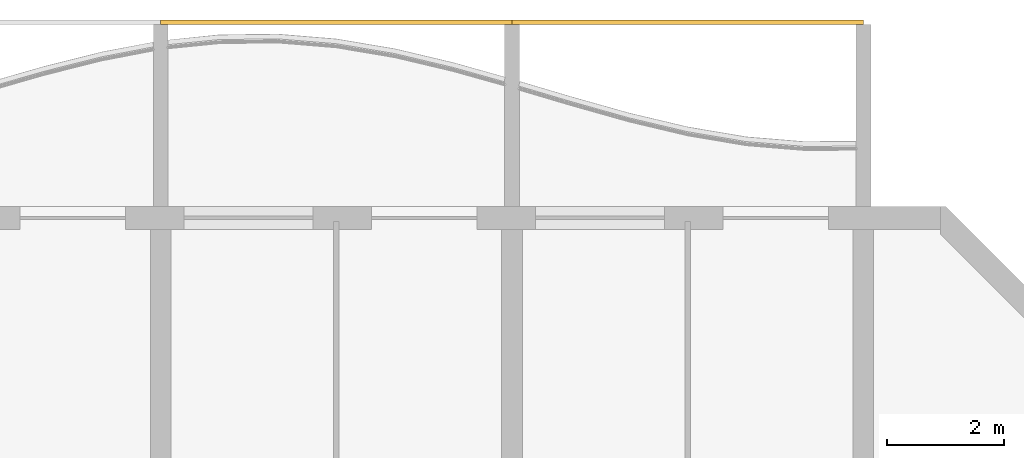
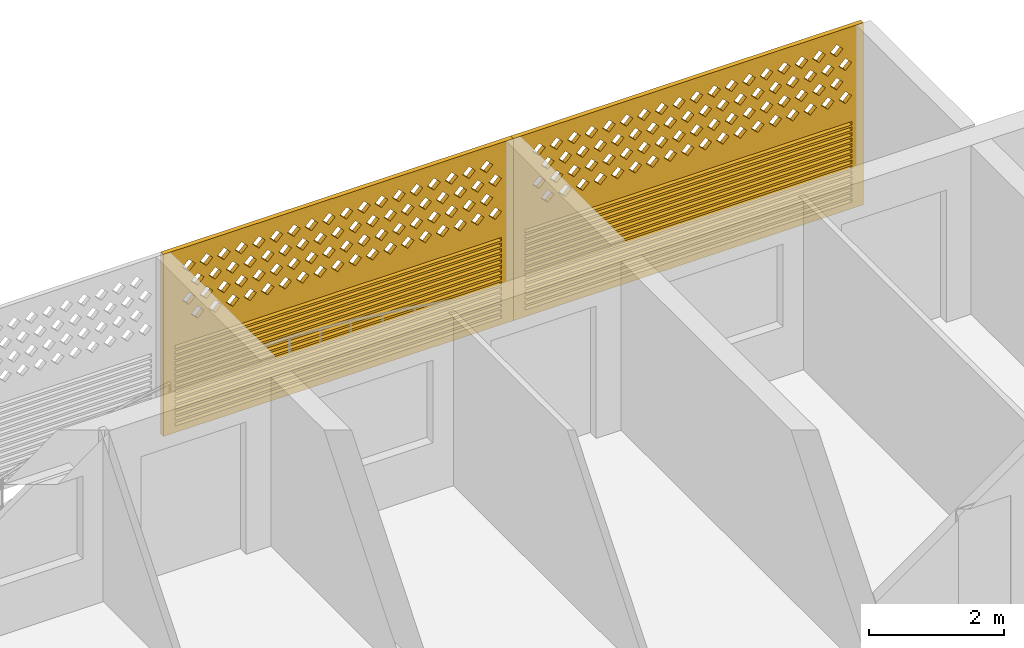
# One storey, part 27 of 27: 2 coverings.
"""IFC4 building model written with IfcOpenShell, lengths in metres."""

from ifc_helpers import new_model, si_unit, direction, frame, origin, place, context, subcontext, project, spatial, polyline, outline, extrude, source, transform, mapped, material, material_profile, profile_set, type_object, element, save


model = new_model("IFC4")

# Units and contexts
model_context = context("Model", 3, precision=1e-05, world=origin(), true_north=direction((0.0, 1.0)))
body_context = subcontext(model_context, "Body", "Model", "MODEL_VIEW")
ifc_project = project(units=[si_unit("LENGTHUNIT", "METRE"), si_unit("AREAUNIT", "SQUARE_METRE"), si_unit("VOLUMEUNIT", "CUBIC_METRE"), si_unit("PLANEANGLEUNIT", "RADIAN"), si_unit("MASSUNIT", "GRAM", prefix="KILO")], contexts=[model_context])

# Site, building, storey
site_placement = place(None, origin())
site = spatial("IfcSite", under=ifc_project, at=site_placement, CompositionType="ELEMENT")
building_placement = place(site_placement, origin())
building = spatial("IfcBuilding", under=site, at=building_placement, Name="Poui Terraces", CompositionType="ELEMENT")
storey_placement = place(building_placement, frame((0.0, 0.0, 92.699951171875)))
storey = spatial("IfcBuildingStorey", under=building, at=storey_placement, Name="L25", CompositionType="ELEMENT", Elevation=92.699951171875)

# Coverings
ifc_material = material(Name="Terracotta screen", Category="masonry")
ifc_material_profile = material_profile(ifc_material, outline(polyline([(-3.0, -1.64990234375), (3.0, -1.64990234375), (3.0, 1.64990234375), (-3.0, 1.64990234375), (-3.0, -1.64990234375)]), holes=[polyline([(-2.800048828125, 0.39990234375), (-2.68994140625, 0.2900390625), (-2.580078125, 0.39990234375), (-2.68994140625, 0.510009765625), (-2.800048828125, 0.39990234375)]), polyline([(-2.5, 0.39990234375), (-2.389892578125, 0.2900390625), (-2.280029296875, 0.39990234375), (-2.389892578125, 0.510009765625), (-2.5, 0.39990234375)]), polyline([(-2.199951171875, 0.39990234375), (-2.090087890625, 0.2900390625), (-1.97998046875, 0.39990234375), (-2.090087890625, 0.510009765625), (-2.199951171875, 0.39990234375)]), polyline([(-1.89990234375, 0.39990234375), (-1.7900390625, 0.2900390625), (-1.679931640625, 0.39990234375), (-1.7900390625, 0.510009765625), (-1.89990234375, 0.39990234375)]), polyline([(-1.60009765625, 0.39990234375), (-1.489990234375, 0.2900390625), (-1.3798828125, 0.39990234375), (-1.489990234375, 0.510009765625), (-1.60009765625, 0.39990234375)]), polyline([(-1.300048828125, 0.39990234375), (-1.18994140625, 0.2900390625), (-1.080078125, 0.39990234375), (-1.18994140625, 0.510009765625), (-1.300048828125, 0.39990234375)]), polyline([(-1.0, 0.39990234375), (-0.889892578125, 0.2900390625), (-0.780029296875, 0.39990234375), (-0.889892578125, 0.510009765625), (-1.0, 0.39990234375)]), polyline([(-0.699951171875, 0.39990234375), (-0.590087890625, 0.2900390625), (-0.47998046875, 0.39990234375), (-0.590087890625, 0.510009765625), (-0.699951171875, 0.39990234375)]), polyline([(-0.39990234375, 0.39990234375), (-0.2900390625, 0.2900390625), (-0.179931640625, 0.39990234375), (-0.2900390625, 0.510009765625), (-0.39990234375, 0.39990234375)]), polyline([(-0.10009765625, 0.39990234375), (0.010009765625, 0.2900390625), (0.1201171875, 0.39990234375), (0.010009765625, 0.510009765625), (-0.10009765625, 0.39990234375)]), polyline([(0.199951171875, 0.39990234375), (0.31005859375, 0.2900390625), (0.419921875, 0.39990234375), (0.31005859375, 0.510009765625), (0.199951171875, 0.39990234375)]), polyline([(0.5, 0.39990234375), (0.610107421875, 0.2900390625), (0.719970703125, 0.39990234375), (0.610107421875, 0.510009765625), (0.5, 0.39990234375)]), polyline([(0.800048828125, 0.39990234375), (0.909912109375, 0.2900390625), (1.02001953125, 0.39990234375), (0.909912109375, 0.510009765625), (0.800048828125, 0.39990234375)]), polyline([(1.10009765625, 0.39990234375), (1.2099609375, 0.2900390625), (1.320068359375, 0.39990234375), (1.2099609375, 0.510009765625), (1.10009765625, 0.39990234375)]), polyline([(1.39990234375, 0.39990234375), (1.510009765625, 0.2900390625), (1.6201171875, 0.39990234375), (1.510009765625, 0.510009765625), (1.39990234375, 0.39990234375)]), polyline([(1.699951171875, 0.39990234375), (1.81005859375, 0.2900390625), (1.919921875, 0.39990234375), (1.81005859375, 0.510009765625), (1.699951171875, 0.39990234375)]), polyline([(2.0, 0.39990234375), (2.110107421875, 0.2900390625), (2.219970703125, 0.39990234375), (2.110107421875, 0.510009765625), (2.0, 0.39990234375)]), polyline([(2.300048828125, 0.39990234375), (2.409912109375, 0.2900390625), (2.52001953125, 0.39990234375), (2.409912109375, 0.510009765625), (2.300048828125, 0.39990234375)]), polyline([(-2.64990234375, 0.699951171875), (-2.5400390625, 0.590087890625), (-2.429931640625, 0.699951171875), (-2.5400390625, 0.81005859375), (-2.64990234375, 0.699951171875)]), polyline([(-2.35009765625, 0.699951171875), (-2.239990234375, 0.590087890625), (-2.1298828125, 0.699951171875), (-2.239990234375, 0.81005859375), (-2.35009765625, 0.699951171875)]), polyline([(-2.050048828125, 0.699951171875), (-1.93994140625, 0.590087890625), (-1.830078125, 0.699951171875), (-1.93994140625, 0.81005859375), (-2.050048828125, 0.699951171875)]), polyline([(-1.75, 0.699951171875), (-1.639892578125, 0.590087890625), (-1.530029296875, 0.699951171875), (-1.639892578125, 0.81005859375), (-1.75, 0.699951171875)]), polyline([(-1.449951171875, 0.699951171875), (-1.340087890625, 0.590087890625), (-1.22998046875, 0.699951171875), (-1.340087890625, 0.81005859375), (-1.449951171875, 0.699951171875)]), polyline([(-1.14990234375, 0.699951171875), (-1.0400390625, 0.590087890625), (-0.929931640625, 0.699951171875), (-1.0400390625, 0.81005859375), (-1.14990234375, 0.699951171875)]), polyline([(-0.85009765625, 0.699951171875), (-0.739990234375, 0.590087890625), (-0.6298828125, 0.699951171875), (-0.739990234375, 0.81005859375), (-0.85009765625, 0.699951171875)]), polyline([(-0.550048828125, 0.699951171875), (-0.43994140625, 0.590087890625), (-0.330078125, 0.699951171875), (-0.43994140625, 0.81005859375), (-0.550048828125, 0.699951171875)]), polyline([(-0.25, 0.699951171875), (-0.139892578125, 0.590087890625), (-0.030029296875, 0.699951171875), (-0.139892578125, 0.81005859375), (-0.25, 0.699951171875)]), polyline([(0.050048828125, 0.699951171875), (0.159912109375, 0.590087890625), (0.27001953125, 0.699951171875), (0.159912109375, 0.81005859375), (0.050048828125, 0.699951171875)]), polyline([(0.35009765625, 0.699951171875), (0.4599609375, 0.590087890625), (0.570068359375, 0.699951171875), (0.4599609375, 0.81005859375), (0.35009765625, 0.699951171875)]), polyline([(0.64990234375, 0.699951171875), (0.760009765625, 0.590087890625), (0.8701171875, 0.699951171875), (0.760009765625, 0.81005859375), (0.64990234375, 0.699951171875)]), polyline([(0.949951171875, 0.699951171875), (1.06005859375, 0.590087890625), (1.169921875, 0.699951171875), (1.06005859375, 0.81005859375), (0.949951171875, 0.699951171875)]), polyline([(1.25, 0.699951171875), (1.360107421875, 0.590087890625), (1.469970703125, 0.699951171875), (1.360107421875, 0.81005859375), (1.25, 0.699951171875)]), polyline([(1.550048828125, 0.699951171875), (1.659912109375, 0.590087890625), (1.77001953125, 0.699951171875), (1.659912109375, 0.81005859375), (1.550048828125, 0.699951171875)]), polyline([(1.85009765625, 0.699951171875), (1.9599609375, 0.590087890625), (2.070068359375, 0.699951171875), (1.9599609375, 0.81005859375), (1.85009765625, 0.699951171875)]), polyline([(2.14990234375, 0.699951171875), (2.260009765625, 0.590087890625), (2.3701171875, 0.699951171875), (2.260009765625, 0.81005859375), (2.14990234375, 0.699951171875)]), polyline([(2.449951171875, 0.699951171875), (2.56005859375, 0.590087890625), (2.669921875, 0.699951171875), (2.56005859375, 0.81005859375), (2.449951171875, 0.699951171875)]), polyline([(-2.800048828125, 1.0), (-2.68994140625, 0.889892578125), (-2.580078125, 1.0), (-2.68994140625, 1.110107421875), (-2.800048828125, 1.0)]), polyline([(-2.5, 1.0), (-2.389892578125, 0.889892578125), (-2.280029296875, 1.0), (-2.389892578125, 1.110107421875), (-2.5, 1.0)]), polyline([(-2.199951171875, 1.0), (-2.090087890625, 0.889892578125), (-1.97998046875, 1.0), (-2.090087890625, 1.110107421875), (-2.199951171875, 1.0)]), polyline([(-1.89990234375, 1.0), (-1.7900390625, 0.889892578125), (-1.679931640625, 1.0), (-1.7900390625, 1.110107421875), (-1.89990234375, 1.0)]), polyline([(-1.60009765625, 1.0), (-1.489990234375, 0.889892578125), (-1.3798828125, 1.0), (-1.489990234375, 1.110107421875), (-1.60009765625, 1.0)]), polyline([(-1.300048828125, 1.0), (-1.18994140625, 0.889892578125), (-1.080078125, 1.0), (-1.18994140625, 1.110107421875), (-1.300048828125, 1.0)]), polyline([(-1.0, 1.0), (-0.889892578125, 0.889892578125), (-0.780029296875, 1.0), (-0.889892578125, 1.110107421875), (-1.0, 1.0)]), polyline([(-0.699951171875, 1.0), (-0.590087890625, 0.889892578125), (-0.47998046875, 1.0), (-0.590087890625, 1.110107421875), (-0.699951171875, 1.0)]), polyline([(-0.39990234375, 1.0), (-0.2900390625, 0.889892578125), (-0.179931640625, 1.0), (-0.2900390625, 1.110107421875), (-0.39990234375, 1.0)]), polyline([(-0.10009765625, 1.0), (0.010009765625, 0.889892578125), (0.1201171875, 1.0), (0.010009765625, 1.110107421875), (-0.10009765625, 1.0)]), polyline([(0.199951171875, 1.0), (0.31005859375, 0.889892578125), (0.419921875, 1.0), (0.31005859375, 1.110107421875), (0.199951171875, 1.0)]), polyline([(0.5, 1.0), (0.610107421875, 0.889892578125), (0.719970703125, 1.0), (0.610107421875, 1.110107421875), (0.5, 1.0)]), polyline([(0.800048828125, 1.0), (0.909912109375, 0.889892578125), (1.02001953125, 1.0), (0.909912109375, 1.110107421875), (0.800048828125, 1.0)]), polyline([(1.10009765625, 1.0), (1.2099609375, 0.889892578125), (1.320068359375, 1.0), (1.2099609375, 1.110107421875), (1.10009765625, 1.0)]), polyline([(1.39990234375, 1.0), (1.510009765625, 0.889892578125), (1.6201171875, 1.0), (1.510009765625, 1.110107421875), (1.39990234375, 1.0)]), polyline([(1.699951171875, 1.0), (1.81005859375, 0.889892578125), (1.919921875, 1.0), (1.81005859375, 1.110107421875), (1.699951171875, 1.0)]), polyline([(2.0, 1.0), (2.110107421875, 0.889892578125), (2.219970703125, 1.0), (2.110107421875, 1.110107421875), (2.0, 1.0)]), polyline([(2.300048828125, 1.0), (2.409912109375, 0.889892578125), (2.52001953125, 1.0), (2.409912109375, 1.110107421875), (2.300048828125, 1.0)]), polyline([(-2.64990234375, 1.300048828125), (-2.5400390625, 1.18994140625), (-2.429931640625, 1.300048828125), (-2.5400390625, 1.409912109375), (-2.64990234375, 1.300048828125)]), polyline([(-2.35009765625, 1.300048828125), (-2.239990234375, 1.18994140625), (-2.1298828125, 1.300048828125), (-2.239990234375, 1.409912109375), (-2.35009765625, 1.300048828125)]), polyline([(-2.050048828125, 1.300048828125), (-1.93994140625, 1.18994140625), (-1.830078125, 1.300048828125), (-1.93994140625, 1.409912109375), (-2.050048828125, 1.300048828125)]), polyline([(-1.75, 1.300048828125), (-1.639892578125, 1.18994140625), (-1.530029296875, 1.300048828125), (-1.639892578125, 1.409912109375), (-1.75, 1.300048828125)]), polyline([(-1.449951171875, 1.300048828125), (-1.340087890625, 1.18994140625), (-1.22998046875, 1.300048828125), (-1.340087890625, 1.409912109375), (-1.449951171875, 1.300048828125)]), polyline([(-1.14990234375, 1.300048828125), (-1.0400390625, 1.18994140625), (-0.929931640625, 1.300048828125), (-1.0400390625, 1.409912109375), (-1.14990234375, 1.300048828125)]), polyline([(-0.85009765625, 1.300048828125), (-0.739990234375, 1.18994140625), (-0.6298828125, 1.300048828125), (-0.739990234375, 1.409912109375), (-0.85009765625, 1.300048828125)]), polyline([(-0.550048828125, 1.300048828125), (-0.43994140625, 1.18994140625), (-0.330078125, 1.300048828125), (-0.43994140625, 1.409912109375), (-0.550048828125, 1.300048828125)]), polyline([(-0.25, 1.300048828125), (-0.139892578125, 1.18994140625), (-0.030029296875, 1.300048828125), (-0.139892578125, 1.409912109375), (-0.25, 1.300048828125)]), polyline([(0.050048828125, 1.300048828125), (0.159912109375, 1.18994140625), (0.27001953125, 1.300048828125), (0.159912109375, 1.409912109375), (0.050048828125, 1.300048828125)]), polyline([(0.35009765625, 1.300048828125), (0.4599609375, 1.18994140625), (0.570068359375, 1.300048828125), (0.4599609375, 1.409912109375), (0.35009765625, 1.300048828125)]), polyline([(0.64990234375, 1.300048828125), (0.760009765625, 1.18994140625), (0.8701171875, 1.300048828125), (0.760009765625, 1.409912109375), (0.64990234375, 1.300048828125)]), polyline([(0.949951171875, 1.300048828125), (1.06005859375, 1.18994140625), (1.169921875, 1.300048828125), (1.06005859375, 1.409912109375), (0.949951171875, 1.300048828125)]), polyline([(1.25, 1.300048828125), (1.360107421875, 1.18994140625), (1.469970703125, 1.300048828125), (1.360107421875, 1.409912109375), (1.25, 1.300048828125)]), polyline([(1.550048828125, 1.300048828125), (1.659912109375, 1.18994140625), (1.77001953125, 1.300048828125), (1.659912109375, 1.409912109375), (1.550048828125, 1.300048828125)]), polyline([(1.85009765625, 1.300048828125), (1.9599609375, 1.18994140625), (2.070068359375, 1.300048828125), (1.9599609375, 1.409912109375), (1.85009765625, 1.300048828125)]), polyline([(2.14990234375, 1.300048828125), (2.260009765625, 1.18994140625), (2.3701171875, 1.300048828125), (2.260009765625, 1.409912109375), (2.14990234375, 1.300048828125)]), polyline([(2.449951171875, 1.300048828125), (2.56005859375, 1.18994140625), (2.669921875, 1.300048828125), (2.56005859375, 1.409912109375), (2.449951171875, 1.300048828125)]), polyline([(-2.800048828125, -1.530029296875), (2.800048828125, -1.530029296875), (2.800048828125, -1.469970703125), (-2.800048828125, -1.469970703125), (-2.800048828125, -1.530029296875)]), polyline([(-2.800048828125, -1.429931640625), (2.800048828125, -1.429931640625), (2.800048828125, -1.3701171875), (-2.800048828125, -1.3701171875), (-2.800048828125, -1.429931640625)]), polyline([(-2.800048828125, -1.330078125), (2.800048828125, -1.330078125), (2.800048828125, -1.27001953125), (-2.800048828125, -1.27001953125), (-2.800048828125, -1.330078125)]), polyline([(-2.800048828125, -1.22998046875), (2.800048828125, -1.22998046875), (2.800048828125, -1.169921875), (-2.800048828125, -1.169921875), (-2.800048828125, -1.22998046875)]), polyline([(-2.800048828125, -1.1298828125), (2.800048828125, -1.1298828125), (2.800048828125, -1.070068359375), (-2.800048828125, -1.070068359375), (-2.800048828125, -1.1298828125)]), polyline([(-2.800048828125, -1.030029296875), (2.800048828125, -1.030029296875), (2.800048828125, -0.969970703125), (-2.800048828125, -0.969970703125), (-2.800048828125, -1.030029296875)]), polyline([(-2.800048828125, -0.929931640625), (2.800048828125, -0.929931640625), (2.800048828125, -0.8701171875), (-2.800048828125, -0.8701171875), (-2.800048828125, -0.929931640625)]), polyline([(-2.800048828125, -0.830078125), (2.800048828125, -0.830078125), (2.800048828125, -0.77001953125), (-2.800048828125, -0.77001953125), (-2.800048828125, -0.830078125)]), polyline([(-2.800048828125, -0.72998046875), (2.800048828125, -0.72998046875), (2.800048828125, -0.669921875), (-2.800048828125, -0.669921875), (-2.800048828125, -0.72998046875)]), polyline([(-2.800048828125, -0.6298828125), (2.800048828125, -0.6298828125), (2.800048828125, -0.570068359375), (-2.800048828125, -0.570068359375), (-2.800048828125, -0.6298828125)]), polyline([(-2.800048828125, -0.530029296875), (2.800048828125, -0.530029296875), (2.800048828125, -0.469970703125), (-2.800048828125, -0.469970703125), (-2.800048828125, -0.530029296875)]), polyline([(-2.800048828125, -0.429931640625), (2.800048828125, -0.429931640625), (2.800048828125, -0.3701171875), (-2.800048828125, -0.3701171875), (-2.800048828125, -0.429931640625)]), polyline([(-2.800048828125, -0.330078125), (2.800048828125, -0.330078125), (2.800048828125, -0.27001953125), (-2.800048828125, -0.27001953125), (-2.800048828125, -0.330078125)]), polyline([(-2.800048828125, -0.22998046875), (2.800048828125, -0.22998046875), (2.800048828125, -0.169921875), (-2.800048828125, -0.169921875), (-2.800048828125, -0.22998046875)]), polyline([(-2.800048828125, -0.1298828125), (2.800048828125, -0.1298828125), (2.800048828125, -0.070068359375), (-2.800048828125, -0.070068359375), (-2.800048828125, -0.1298828125)])]), Name="TERRACOTTA SCREEN AND JALOUSIE LOUVRE 6000X3300")
ifc_profile_set = profile_set([ifc_material_profile], Name="Terracotta screen")
covering_type = type_object("IfcCoveringType", Name="TERRACOTTA SCREEN AND JALOUSIE LOUVRE 6000X3300", PredefinedType="CLADDING", material=ifc_profile_set)
shared_shape = source(origin(), body_context, "Body", "SweptSolid", [
    extrude(outline(polyline([(-3.0, -1.64990234375), (3.0, -1.64990234375), (3.0, 1.64990234375), (-3.0, 1.64990234375), (-3.0, -1.64990234375)]), holes=[polyline([(-2.800048828125, 0.39990234375), (-2.68994140625, 0.2900390625), (-2.580078125, 0.39990234375), (-2.68994140625, 0.510009765625), (-2.800048828125, 0.39990234375)]), polyline([(-2.5, 0.39990234375), (-2.389892578125, 0.2900390625), (-2.280029296875, 0.39990234375), (-2.389892578125, 0.510009765625), (-2.5, 0.39990234375)]), polyline([(-2.199951171875, 0.39990234375), (-2.090087890625, 0.2900390625), (-1.97998046875, 0.39990234375), (-2.090087890625, 0.510009765625), (-2.199951171875, 0.39990234375)]), polyline([(-1.89990234375, 0.39990234375), (-1.7900390625, 0.2900390625), (-1.679931640625, 0.39990234375), (-1.7900390625, 0.510009765625), (-1.89990234375, 0.39990234375)]), polyline([(-1.60009765625, 0.39990234375), (-1.489990234375, 0.2900390625), (-1.3798828125, 0.39990234375), (-1.489990234375, 0.510009765625), (-1.60009765625, 0.39990234375)]), polyline([(-1.300048828125, 0.39990234375), (-1.18994140625, 0.2900390625), (-1.080078125, 0.39990234375), (-1.18994140625, 0.510009765625), (-1.300048828125, 0.39990234375)]), polyline([(-1.0, 0.39990234375), (-0.889892578125, 0.2900390625), (-0.780029296875, 0.39990234375), (-0.889892578125, 0.510009765625), (-1.0, 0.39990234375)]), polyline([(-0.699951171875, 0.39990234375), (-0.590087890625, 0.2900390625), (-0.47998046875, 0.39990234375), (-0.590087890625, 0.510009765625), (-0.699951171875, 0.39990234375)]), polyline([(-0.39990234375, 0.39990234375), (-0.2900390625, 0.2900390625), (-0.179931640625, 0.39990234375), (-0.2900390625, 0.510009765625), (-0.39990234375, 0.39990234375)]), polyline([(-0.10009765625, 0.39990234375), (0.010009765625, 0.2900390625), (0.1201171875, 0.39990234375), (0.010009765625, 0.510009765625), (-0.10009765625, 0.39990234375)]), polyline([(0.199951171875, 0.39990234375), (0.31005859375, 0.2900390625), (0.419921875, 0.39990234375), (0.31005859375, 0.510009765625), (0.199951171875, 0.39990234375)]), polyline([(0.5, 0.39990234375), (0.610107421875, 0.2900390625), (0.719970703125, 0.39990234375), (0.610107421875, 0.510009765625), (0.5, 0.39990234375)]), polyline([(0.800048828125, 0.39990234375), (0.909912109375, 0.2900390625), (1.02001953125, 0.39990234375), (0.909912109375, 0.510009765625), (0.800048828125, 0.39990234375)]), polyline([(1.10009765625, 0.39990234375), (1.2099609375, 0.2900390625), (1.320068359375, 0.39990234375), (1.2099609375, 0.510009765625), (1.10009765625, 0.39990234375)]), polyline([(1.39990234375, 0.39990234375), (1.510009765625, 0.2900390625), (1.6201171875, 0.39990234375), (1.510009765625, 0.510009765625), (1.39990234375, 0.39990234375)]), polyline([(1.699951171875, 0.39990234375), (1.81005859375, 0.2900390625), (1.919921875, 0.39990234375), (1.81005859375, 0.510009765625), (1.699951171875, 0.39990234375)]), polyline([(2.0, 0.39990234375), (2.110107421875, 0.2900390625), (2.219970703125, 0.39990234375), (2.110107421875, 0.510009765625), (2.0, 0.39990234375)]), polyline([(2.300048828125, 0.39990234375), (2.409912109375, 0.2900390625), (2.52001953125, 0.39990234375), (2.409912109375, 0.510009765625), (2.300048828125, 0.39990234375)]), polyline([(-2.64990234375, 0.699951171875), (-2.5400390625, 0.590087890625), (-2.429931640625, 0.699951171875), (-2.5400390625, 0.81005859375), (-2.64990234375, 0.699951171875)]), polyline([(-2.35009765625, 0.699951171875), (-2.239990234375, 0.590087890625), (-2.1298828125, 0.699951171875), (-2.239990234375, 0.81005859375), (-2.35009765625, 0.699951171875)]), polyline([(-2.050048828125, 0.699951171875), (-1.93994140625, 0.590087890625), (-1.830078125, 0.699951171875), (-1.93994140625, 0.81005859375), (-2.050048828125, 0.699951171875)]), polyline([(-1.75, 0.699951171875), (-1.639892578125, 0.590087890625), (-1.530029296875, 0.699951171875), (-1.639892578125, 0.81005859375), (-1.75, 0.699951171875)]), polyline([(-1.449951171875, 0.699951171875), (-1.340087890625, 0.590087890625), (-1.22998046875, 0.699951171875), (-1.340087890625, 0.81005859375), (-1.449951171875, 0.699951171875)]), polyline([(-1.14990234375, 0.699951171875), (-1.0400390625, 0.590087890625), (-0.929931640625, 0.699951171875), (-1.0400390625, 0.81005859375), (-1.14990234375, 0.699951171875)]), polyline([(-0.85009765625, 0.699951171875), (-0.739990234375, 0.590087890625), (-0.6298828125, 0.699951171875), (-0.739990234375, 0.81005859375), (-0.85009765625, 0.699951171875)]), polyline([(-0.550048828125, 0.699951171875), (-0.43994140625, 0.590087890625), (-0.330078125, 0.699951171875), (-0.43994140625, 0.81005859375), (-0.550048828125, 0.699951171875)]), polyline([(-0.25, 0.699951171875), (-0.139892578125, 0.590087890625), (-0.030029296875, 0.699951171875), (-0.139892578125, 0.81005859375), (-0.25, 0.699951171875)]), polyline([(0.050048828125, 0.699951171875), (0.159912109375, 0.590087890625), (0.27001953125, 0.699951171875), (0.159912109375, 0.81005859375), (0.050048828125, 0.699951171875)]), polyline([(0.35009765625, 0.699951171875), (0.4599609375, 0.590087890625), (0.570068359375, 0.699951171875), (0.4599609375, 0.81005859375), (0.35009765625, 0.699951171875)]), polyline([(0.64990234375, 0.699951171875), (0.760009765625, 0.590087890625), (0.8701171875, 0.699951171875), (0.760009765625, 0.81005859375), (0.64990234375, 0.699951171875)]), polyline([(0.949951171875, 0.699951171875), (1.06005859375, 0.590087890625), (1.169921875, 0.699951171875), (1.06005859375, 0.81005859375), (0.949951171875, 0.699951171875)]), polyline([(1.25, 0.699951171875), (1.360107421875, 0.590087890625), (1.469970703125, 0.699951171875), (1.360107421875, 0.81005859375), (1.25, 0.699951171875)]), polyline([(1.550048828125, 0.699951171875), (1.659912109375, 0.590087890625), (1.77001953125, 0.699951171875), (1.659912109375, 0.81005859375), (1.550048828125, 0.699951171875)]), polyline([(1.85009765625, 0.699951171875), (1.9599609375, 0.590087890625), (2.070068359375, 0.699951171875), (1.9599609375, 0.81005859375), (1.85009765625, 0.699951171875)]), polyline([(2.14990234375, 0.699951171875), (2.260009765625, 0.590087890625), (2.3701171875, 0.699951171875), (2.260009765625, 0.81005859375), (2.14990234375, 0.699951171875)]), polyline([(2.449951171875, 0.699951171875), (2.56005859375, 0.590087890625), (2.669921875, 0.699951171875), (2.56005859375, 0.81005859375), (2.449951171875, 0.699951171875)]), polyline([(-2.800048828125, 1.0), (-2.68994140625, 0.889892578125), (-2.580078125, 1.0), (-2.68994140625, 1.110107421875), (-2.800048828125, 1.0)]), polyline([(-2.5, 1.0), (-2.389892578125, 0.889892578125), (-2.280029296875, 1.0), (-2.389892578125, 1.110107421875), (-2.5, 1.0)]), polyline([(-2.199951171875, 1.0), (-2.090087890625, 0.889892578125), (-1.97998046875, 1.0), (-2.090087890625, 1.110107421875), (-2.199951171875, 1.0)]), polyline([(-1.89990234375, 1.0), (-1.7900390625, 0.889892578125), (-1.679931640625, 1.0), (-1.7900390625, 1.110107421875), (-1.89990234375, 1.0)]), polyline([(-1.60009765625, 1.0), (-1.489990234375, 0.889892578125), (-1.3798828125, 1.0), (-1.489990234375, 1.110107421875), (-1.60009765625, 1.0)]), polyline([(-1.300048828125, 1.0), (-1.18994140625, 0.889892578125), (-1.080078125, 1.0), (-1.18994140625, 1.110107421875), (-1.300048828125, 1.0)]), polyline([(-1.0, 1.0), (-0.889892578125, 0.889892578125), (-0.780029296875, 1.0), (-0.889892578125, 1.110107421875), (-1.0, 1.0)]), polyline([(-0.699951171875, 1.0), (-0.590087890625, 0.889892578125), (-0.47998046875, 1.0), (-0.590087890625, 1.110107421875), (-0.699951171875, 1.0)]), polyline([(-0.39990234375, 1.0), (-0.2900390625, 0.889892578125), (-0.179931640625, 1.0), (-0.2900390625, 1.110107421875), (-0.39990234375, 1.0)]), polyline([(-0.10009765625, 1.0), (0.010009765625, 0.889892578125), (0.1201171875, 1.0), (0.010009765625, 1.110107421875), (-0.10009765625, 1.0)]), polyline([(0.199951171875, 1.0), (0.31005859375, 0.889892578125), (0.419921875, 1.0), (0.31005859375, 1.110107421875), (0.199951171875, 1.0)]), polyline([(0.5, 1.0), (0.610107421875, 0.889892578125), (0.719970703125, 1.0), (0.610107421875, 1.110107421875), (0.5, 1.0)]), polyline([(0.800048828125, 1.0), (0.909912109375, 0.889892578125), (1.02001953125, 1.0), (0.909912109375, 1.110107421875), (0.800048828125, 1.0)]), polyline([(1.10009765625, 1.0), (1.2099609375, 0.889892578125), (1.320068359375, 1.0), (1.2099609375, 1.110107421875), (1.10009765625, 1.0)]), polyline([(1.39990234375, 1.0), (1.510009765625, 0.889892578125), (1.6201171875, 1.0), (1.510009765625, 1.110107421875), (1.39990234375, 1.0)]), polyline([(1.699951171875, 1.0), (1.81005859375, 0.889892578125), (1.919921875, 1.0), (1.81005859375, 1.110107421875), (1.699951171875, 1.0)]), polyline([(2.0, 1.0), (2.110107421875, 0.889892578125), (2.219970703125, 1.0), (2.110107421875, 1.110107421875), (2.0, 1.0)]), polyline([(2.300048828125, 1.0), (2.409912109375, 0.889892578125), (2.52001953125, 1.0), (2.409912109375, 1.110107421875), (2.300048828125, 1.0)]), polyline([(-2.64990234375, 1.300048828125), (-2.5400390625, 1.18994140625), (-2.429931640625, 1.300048828125), (-2.5400390625, 1.409912109375), (-2.64990234375, 1.300048828125)]), polyline([(-2.35009765625, 1.300048828125), (-2.239990234375, 1.18994140625), (-2.1298828125, 1.300048828125), (-2.239990234375, 1.409912109375), (-2.35009765625, 1.300048828125)]), polyline([(-2.050048828125, 1.300048828125), (-1.93994140625, 1.18994140625), (-1.830078125, 1.300048828125), (-1.93994140625, 1.409912109375), (-2.050048828125, 1.300048828125)]), polyline([(-1.75, 1.300048828125), (-1.639892578125, 1.18994140625), (-1.530029296875, 1.300048828125), (-1.639892578125, 1.409912109375), (-1.75, 1.300048828125)]), polyline([(-1.449951171875, 1.300048828125), (-1.340087890625, 1.18994140625), (-1.22998046875, 1.300048828125), (-1.340087890625, 1.409912109375), (-1.449951171875, 1.300048828125)]), polyline([(-1.14990234375, 1.300048828125), (-1.0400390625, 1.18994140625), (-0.929931640625, 1.300048828125), (-1.0400390625, 1.409912109375), (-1.14990234375, 1.300048828125)]), polyline([(-0.85009765625, 1.300048828125), (-0.739990234375, 1.18994140625), (-0.6298828125, 1.300048828125), (-0.739990234375, 1.409912109375), (-0.85009765625, 1.300048828125)]), polyline([(-0.550048828125, 1.300048828125), (-0.43994140625, 1.18994140625), (-0.330078125, 1.300048828125), (-0.43994140625, 1.409912109375), (-0.550048828125, 1.300048828125)]), polyline([(-0.25, 1.300048828125), (-0.139892578125, 1.18994140625), (-0.030029296875, 1.300048828125), (-0.139892578125, 1.409912109375), (-0.25, 1.300048828125)]), polyline([(0.050048828125, 1.300048828125), (0.159912109375, 1.18994140625), (0.27001953125, 1.300048828125), (0.159912109375, 1.409912109375), (0.050048828125, 1.300048828125)]), polyline([(0.35009765625, 1.300048828125), (0.4599609375, 1.18994140625), (0.570068359375, 1.300048828125), (0.4599609375, 1.409912109375), (0.35009765625, 1.300048828125)]), polyline([(0.64990234375, 1.300048828125), (0.760009765625, 1.18994140625), (0.8701171875, 1.300048828125), (0.760009765625, 1.409912109375), (0.64990234375, 1.300048828125)]), polyline([(0.949951171875, 1.300048828125), (1.06005859375, 1.18994140625), (1.169921875, 1.300048828125), (1.06005859375, 1.409912109375), (0.949951171875, 1.300048828125)]), polyline([(1.25, 1.300048828125), (1.360107421875, 1.18994140625), (1.469970703125, 1.300048828125), (1.360107421875, 1.409912109375), (1.25, 1.300048828125)]), polyline([(1.550048828125, 1.300048828125), (1.659912109375, 1.18994140625), (1.77001953125, 1.300048828125), (1.659912109375, 1.409912109375), (1.550048828125, 1.300048828125)]), polyline([(1.85009765625, 1.300048828125), (1.9599609375, 1.18994140625), (2.070068359375, 1.300048828125), (1.9599609375, 1.409912109375), (1.85009765625, 1.300048828125)]), polyline([(2.14990234375, 1.300048828125), (2.260009765625, 1.18994140625), (2.3701171875, 1.300048828125), (2.260009765625, 1.409912109375), (2.14990234375, 1.300048828125)]), polyline([(2.449951171875, 1.300048828125), (2.56005859375, 1.18994140625), (2.669921875, 1.300048828125), (2.56005859375, 1.409912109375), (2.449951171875, 1.300048828125)]), polyline([(-2.800048828125, -1.530029296875), (2.800048828125, -1.530029296875), (2.800048828125, -1.469970703125), (-2.800048828125, -1.469970703125), (-2.800048828125, -1.530029296875)]), polyline([(-2.800048828125, -1.429931640625), (2.800048828125, -1.429931640625), (2.800048828125, -1.3701171875), (-2.800048828125, -1.3701171875), (-2.800048828125, -1.429931640625)]), polyline([(-2.800048828125, -1.330078125), (2.800048828125, -1.330078125), (2.800048828125, -1.27001953125), (-2.800048828125, -1.27001953125), (-2.800048828125, -1.330078125)]), polyline([(-2.800048828125, -1.22998046875), (2.800048828125, -1.22998046875), (2.800048828125, -1.169921875), (-2.800048828125, -1.169921875), (-2.800048828125, -1.22998046875)]), polyline([(-2.800048828125, -1.1298828125), (2.800048828125, -1.1298828125), (2.800048828125, -1.070068359375), (-2.800048828125, -1.070068359375), (-2.800048828125, -1.1298828125)]), polyline([(-2.800048828125, -1.030029296875), (2.800048828125, -1.030029296875), (2.800048828125, -0.969970703125), (-2.800048828125, -0.969970703125), (-2.800048828125, -1.030029296875)]), polyline([(-2.800048828125, -0.929931640625), (2.800048828125, -0.929931640625), (2.800048828125, -0.8701171875), (-2.800048828125, -0.8701171875), (-2.800048828125, -0.929931640625)]), polyline([(-2.800048828125, -0.830078125), (2.800048828125, -0.830078125), (2.800048828125, -0.77001953125), (-2.800048828125, -0.77001953125), (-2.800048828125, -0.830078125)]), polyline([(-2.800048828125, -0.72998046875), (2.800048828125, -0.72998046875), (2.800048828125, -0.669921875), (-2.800048828125, -0.669921875), (-2.800048828125, -0.72998046875)]), polyline([(-2.800048828125, -0.6298828125), (2.800048828125, -0.6298828125), (2.800048828125, -0.570068359375), (-2.800048828125, -0.570068359375), (-2.800048828125, -0.6298828125)]), polyline([(-2.800048828125, -0.530029296875), (2.800048828125, -0.530029296875), (2.800048828125, -0.469970703125), (-2.800048828125, -0.469970703125), (-2.800048828125, -0.530029296875)]), polyline([(-2.800048828125, -0.429931640625), (2.800048828125, -0.429931640625), (2.800048828125, -0.3701171875), (-2.800048828125, -0.3701171875), (-2.800048828125, -0.429931640625)]), polyline([(-2.800048828125, -0.330078125), (2.800048828125, -0.330078125), (2.800048828125, -0.27001953125), (-2.800048828125, -0.27001953125), (-2.800048828125, -0.330078125)]), polyline([(-2.800048828125, -0.22998046875), (2.800048828125, -0.22998046875), (2.800048828125, -0.169921875), (-2.800048828125, -0.169921875), (-2.800048828125, -0.22998046875)]), polyline([(-2.800048828125, -0.1298828125), (2.800048828125, -0.1298828125), (2.800048828125, -0.070068359375), (-2.800048828125, -0.070068359375), (-2.800048828125, -0.1298828125)])]), origin(), (0.0, 0.0, 1.0), 0.080078125),
])
for number, where, z_axis, x_axis, name in (
    (1, (81.0, 46.89990234375, 1.449951171875), (0.0, 1.0, 0.0), (-1.0, 0.0, 0.0), "SOLAR SCREEN AND JALOUSIE LOUVRE"),
    (2, (87.0, 46.89990234375, 1.449951171875), (0.0, 1.0, 0.0), (-1.0, 0.0, 0.0), "SOLAR SCREEN AND JALOUSIE LOUVRE"),
):
    element("IfcCovering", number, at=place(storey_placement, frame(where, z_axis=z_axis, x_axis=x_axis)), inside=storey, type_object=covering_type, Name=name, PredefinedType="CLADDING", context=body_context, shape_type="MappedRepresentation", body=[
        mapped(shared_shape, transform((0.0, 0.0, 0.0))),
    ])

save(model, "model.ifc")
